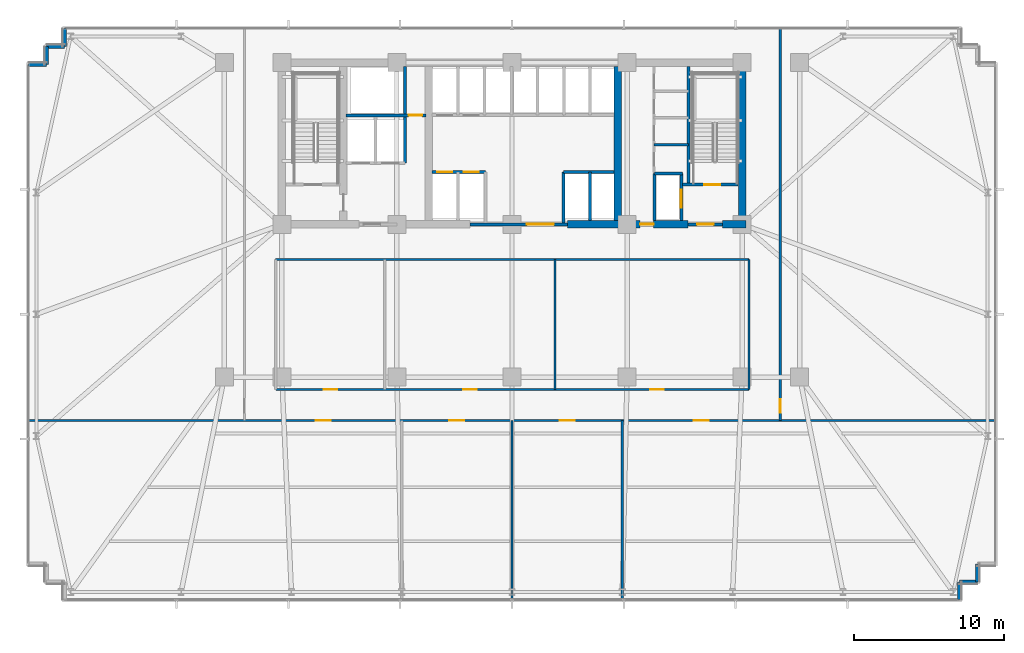
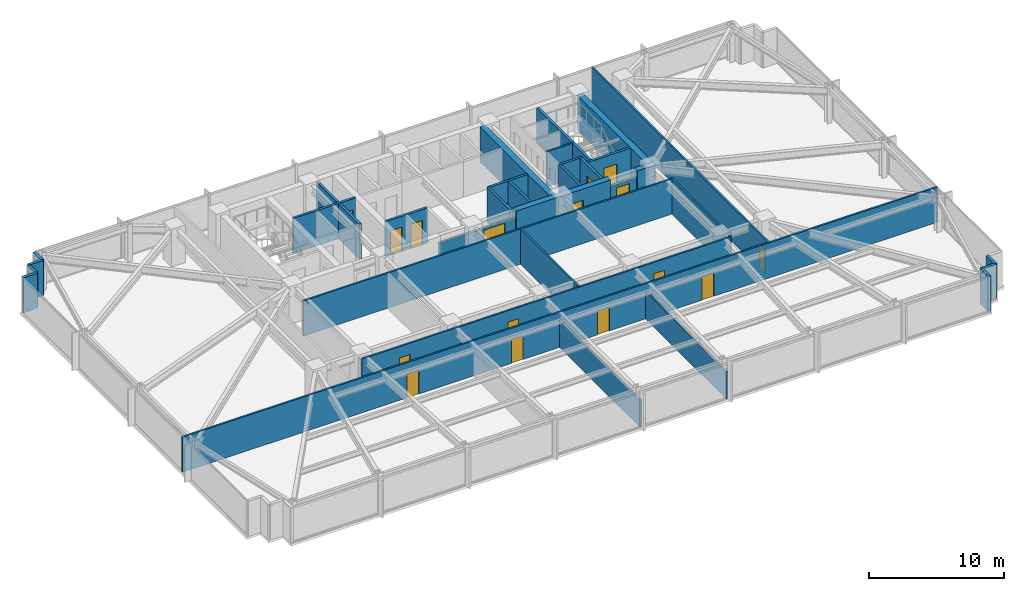
# One storey, part 25 of 32: 33 walls, 16 doors, 16 openings.
"""IFC4 building model written with IfcOpenShell, lengths in metres."""

from ifc_helpers import new_model, si_unit, direction, frame, frame_2d, origin, place, context, subcontext, project, spatial, rectangle, extrude, material, layer, layer_set, type_object, element, fill, save


model = new_model("IFC4")

# Units and contexts
model_context = context("Model", 3, precision=1e-05, world=origin(), true_north=direction((0.0, 1.0)))
body_context = subcontext(model_context, "Body", "Model", "MODEL_VIEW")
ifc_project = project(units=[si_unit("LENGTHUNIT", "METRE"), si_unit("AREAUNIT", "SQUARE_METRE"), si_unit("VOLUMEUNIT", "CUBIC_METRE"), si_unit("PLANEANGLEUNIT", "RADIAN"), si_unit("MASSUNIT", "GRAM", prefix="KILO")], contexts=[model_context])

# Site, building, storey
site_placement = place(None, origin())
site = spatial("IfcSite", under=ifc_project, at=site_placement, CompositionType="ELEMENT")
building_placement = place(site_placement, origin())
building = spatial("IfcBuilding", under=site, at=building_placement, Name="Yelkora Congress Tower", CompositionType="ELEMENT")
storey_placement = place(building_placement, frame((0.0, 0.0, 50.800048828125)))
storey = spatial("IfcBuildingStorey", under=building, at=storey_placement, Name="L12", CompositionType="ELEMENT", Elevation=50.800048828125)

# Wall
ifc_material_1 = material(Name="Concrete C50/60", Category="concrete")
ifc_layer_1 = layer(ifc_material_1, 0.219970703125)
ifc_layer_set_1 = layer_set([ifc_layer_1], Name="Concrete C50/60")
wall_type_1 = type_object("IfcWallType", Name="WALL-CORE-INT-220", PredefinedType="SHEAR", material=ifc_layer_set_1)
wall_1_placement = place(storey_placement, frame((50.179931640625, 38.050048828125, 0.0), z_axis=(0.0, 0.0, 1.0), x_axis=(0.0, 1.0, 0.0)))
element("IfcWall", 1, at=wall_1_placement, inside=storey, type_object=wall_type_1, Name="L12 ST02 West Stair Shear Wall", PredefinedType="SHEAR", context=body_context, shape_type="SweptSolid", body=[
    extrude(rectangle(XDim=7.89990234375, YDim=0.219970703125, at=frame_2d((3.949951171875, 0.0))), origin(), (0.0, 0.0, 1.0), 3.179931640625),
])

# Wall, opening, door
ifc_material_2 = material(Name="Concrete C60/75", Category="concrete")
ifc_layer_2 = layer(ifc_material_2, 0.5)
ifc_layer_set_2 = layer_set([ifc_layer_2], Name="Concrete C60/75")
wall_type_2 = type_object("IfcWallType", Name="WALL-CORE-INT-500", PredefinedType="SHEAR", material=ifc_layer_set_2)
wall_2_placement = place(storey_placement, frame((42.10009765625, 35.39990234375, 0.0), z_axis=(0.0, 0.0, 1.0), x_axis=(1.0, 0.0, 0.0)))
wall_2 = element("IfcWall", 2, at=wall_2_placement, inside=storey, type_object=wall_type_2, Name="L12 Rear Core South-East Shear Wall A", PredefinedType="SHEAR", context=body_context, shape_type="SweptSolid", body=[
    extrude(rectangle(XDim=8.0498046875, YDim=0.5, at=frame_2d((4.02490234375, 0.0))), origin(), (0.0, 0.0, 1.0), 3.179931640625),
])
opening_1_placement = place(wall_2_placement, frame((4.85009765625, 0.0, 0.0)))
opening_1 = element("IfcOpeningElement", 3, at=opening_1_placement, cuts=wall_2, Name="Opening DR-090F6", PredefinedType="OPENING", context=body_context, shape_type="SweptSolid", body=[
    extrude(rectangle(XDim=0.89990234375, YDim=2.14990234375, at=frame_2d((0.449951171875, 1.074951171875))), frame((0.0, 0.260009765625, 0.0), z_axis=(0.0, -1.0, 0.0), x_axis=(1.0, 0.0, 0.0)), (0.0, 0.0, 1.0), 0.52001953125),
])
ifc_material_3 = material(Name="Painted steel riser fire door leaf", Category="steel")
door_type_1 = type_object("IfcDoorType", Name="DOOR-FD60-900", OperationType="NOTDEFINED", PredefinedType="DOOR", material=ifc_material_3)
door_1_placement = place(opening_1_placement, origin())
door_1 = element("IfcDoor", 4, at=door_1_placement, inside=storey, type_object=door_type_1, Name="L12 Core Washroom Lobby Door", OperationType="SINGLE_SWING_RIGHT", OverallHeight=2.14990234375, OverallWidth=0.89990234375, PredefinedType="DOOR", context=body_context, shape_type="SweptSolid", body=[
    extrude(rectangle(XDim=0.89990234375, YDim=2.14990234375, at=frame_2d((0.449951171875, 1.074951171875))), frame((0.0, 0.02490234375, 0.0), z_axis=(0.0, -1.0, 0.0), x_axis=(1.0, 0.0, 0.0)), (0.0, 0.0, 1.0), 0.050048828125),
])
fill(opening_1, door_1)

# Walls
wall_3_placement = place(storey_placement, frame((52.449951171875, 35.39990234375, 0.0), z_axis=(0.0, 0.0, 1.0), x_axis=(1.0, 0.0, 0.0)))
element("IfcWall", 5, at=wall_3_placement, inside=storey, type_object=wall_type_2, Name="L12 Rear Core South-East Shear Wall B", PredefinedType="SHEAR", context=body_context, shape_type="SweptSolid", body=[
    extrude(rectangle(XDim=1.56005859375, YDim=0.5, at=frame_2d((0.780029296875, 0.0))), origin(), (0.0, 0.0, 1.0), 3.179931640625),
])
for number, where, z_axis, x_axis, name in (
    (6, (45.449951171875, 35.64990234375, 0.0), (0.0, 0.0, 1.0), (0.0, 1.0, 0.0), "L12 Rear Core Cross Shear Wall C3"),
    (7, (53.760009765625, 35.64990234375, 0.0), (0.0, 0.0, 1.0), (0.0, 1.0, 0.0), "L12 Rear Core Cross Shear Wall E"),
):
    element("IfcWall", number, at=place(storey_placement, frame(where, z_axis=z_axis, x_axis=x_axis)), inside=storey, type_object=wall_type_2, Name=name, PredefinedType="SHEAR", context=body_context, shape_type="SweptSolid", body=[
        extrude(rectangle(XDim=10.300048828125, YDim=0.5, at=frame_2d((5.14990234375, 0.0))), origin(), (0.0, 0.0, 1.0), 3.179931640625),
    ])
ifc_material_4 = material(Name="Concrete C40/50", Category="concrete")
ifc_layer_3 = layer(ifc_material_4, 0.239990234375)
ifc_layer_set_3 = layer_set([ifc_layer_3], Name="Concrete C40/50")
wall_type_3 = type_object("IfcWallType", Name="WALL-EXT-LIMESTONE-240", PredefinedType="SOLIDWALL", material=ifc_layer_set_3)
wall_4_placement = place(storey_placement, frame((6.139892578125, 46.06005859375, 0.0), z_axis=(0.0, 0.0, 1.0), x_axis=(1.0, 0.0, 0.0)))
element("IfcWall", 8, at=wall_4_placement, inside=storey, type_object=wall_type_3, Name="L12 Serrated Corner Limestone Pier 6", PredefinedType="SOLIDWALL", context=body_context, shape_type="SweptSolid", body=[
    extrude(rectangle(XDim=1.2001953125, YDim=0.239990234375, at=frame_2d((0.60009765625, 0.0))), origin(), (0.0, 0.0, 1.0), 3.179931640625),
])
for number, where, z_axis, x_axis, name in (
    (9, (7.340087890625, 46.06005859375, 0.0), (0.0, 0.0, 1.0), (0.0, 1.0, 0.0), "L12 Serrated Corner Limestone Pier 7"),
    (10, (7.340087890625, 47.260009765625, 0.0), (0.0, 0.0, 1.0), (1.0, 0.0, 0.0), "L12 Serrated Corner Limestone Pier 8"),
    (11, (8.5400390625, 47.260009765625, 0.0), (0.0, 0.0, 1.0), (0.0, 1.0, 0.0), "L12 Serrated Corner Limestone Pier 9"),
    (12, (69.4599609375, 12.739990234375, 0.0), (0.0, 0.0, 1.0), (0.0, -1.0, 0.0), "L12 Serrated Corner Limestone Pier 17"),
    (13, (69.4599609375, 11.5400390625, 0.0), (0.0, 0.0, 1.0), (-1.0, 0.0, 0.0), "L12 Serrated Corner Limestone Pier 18"),
    (14, (68.260009765625, 11.5400390625, 0.0), (0.0, 0.0, 1.0), (0.0, -1.0, 0.0), "L12 Serrated Corner Limestone Pier 19"),
):
    element("IfcWall", number, at=place(storey_placement, frame(where, z_axis=z_axis, x_axis=x_axis)), inside=storey, type_object=wall_type_3, Name=name, PredefinedType="SOLIDWALL", context=body_context, shape_type="SweptSolid", body=[
        extrude(rectangle(XDim=1.199951171875, YDim=0.239990234375, at=frame_2d((0.60009765625, 0.0))), origin(), (0.0, 0.0, 1.0), 3.179931640625),
    ])
ifc_material_5 = material(Name="Acoustic metal-stud gypsum partition", Category="gypsum")
ifc_layer_4 = layer(ifc_material_5, 0.14990234375)
ifc_layer_set_4 = layer_set([ifc_layer_4], Name="Acoustic metal-stud gypsum partition")
wall_type_4 = type_object("IfcWallType", Name="WALL-INT-150-NR", PredefinedType="PARTITIONING", material=ifc_layer_set_4)
wall_5_placement = place(storey_placement, frame((47.8798828125, 40.719970703125, 0.0), z_axis=(0.0, 0.0, 1.0), x_axis=(1.0, 0.0, 0.0)))
element("IfcWall", 15, at=wall_5_placement, inside=storey, type_object=wall_type_4, Name="L12 Partition Wall 28", PredefinedType="PARTITIONING", context=body_context, shape_type="SweptSolid", body=[
    extrude(rectangle(XDim=2.300048828125, YDim=0.14990234375, at=frame_2d((1.14990234375, 0.0))), origin(), (0.0, 0.0, 1.0), 3.179931640625),
])
for number, where, z_axis, x_axis, name in (
    (16, (38.39990234375, 10.280029296875, 0.0), (0.0, 0.0, 1.0), (0.0, 1.0, 0.0), "L12 Partition Wall 33"),
    (17, (45.762939453125, 10.280029296875, 0.0), (0.0, 0.0, 1.0), (0.0, 1.0, 0.0), "L12 Partition Wall 34"),
):
    element("IfcWall", number, at=place(storey_placement, frame(where, z_axis=z_axis, x_axis=x_axis)), inside=storey, type_object=wall_type_4, Name=name, PredefinedType="PARTITIONING", context=body_context, shape_type="SweptSolid", body=[
        extrude(rectangle(XDim=12.0400390625, YDim=0.14990234375, at=frame_2d((6.02001953125, 0.0))), origin(), (0.0, 0.0, 1.0), 2.474853515625),
    ])

# Wall, openings, doors
wall_6_placement = place(storey_placement, frame((6.080078125, 22.300048828125, 0.0), z_axis=(0.0, 0.0, 1.0), x_axis=(1.0, 0.0, 0.0)))
wall_6 = element("IfcWall", 18, at=wall_6_placement, inside=storey, type_object=wall_type_4, Name="L12 South Spine Wall", PredefinedType="PARTITIONING", context=body_context, shape_type="SweptSolid", body=[
    extrude(rectangle(XDim=64.639892578125, YDim=0.14990234375, at=frame_2d((32.31982421875, 0.0))), origin(), (0.0, 0.0, 1.0), 3.179931640625),
])
opening_2_placement = place(wall_6_placement, frame((19.214111328125, 0.0, 0.0)))
opening_2 = element("IfcOpeningElement", 19, at=opening_2_placement, cuts=wall_6, Name="Opening DR-100N", PredefinedType="OPENING", context=body_context, shape_type="SweptSolid", body=[
    extrude(rectangle(XDim=1.0, YDim=2.14990234375, at=frame_2d((0.5, 1.074951171875))), frame((0.0, 0.0849609375, 0.0), z_axis=(0.0, -1.0, 0.0), x_axis=(1.0, 0.0, 0.0)), (0.0, 0.0, 1.0), 0.169921875),
])
opening_3_placement = place(wall_6_placement, frame((28.138916015625, 0.0, 0.0)))
opening_3 = element("IfcOpeningElement", 20, at=opening_3_placement, cuts=wall_6, Name="Opening DR-100N", PredefinedType="OPENING", context=body_context, shape_type="SweptSolid", body=[
    extrude(rectangle(XDim=1.0, YDim=2.14990234375, at=frame_2d((0.5, 1.074951171875))), frame((0.0, 0.0849609375, 0.0), z_axis=(0.0, -1.0, 0.0), x_axis=(1.0, 0.0, 0.0)), (0.0, 0.0, 1.0), 0.169921875),
])
opening_4_placement = place(wall_6_placement, frame((35.50146484375, 0.0, 0.0)))
opening_4 = element("IfcOpeningElement", 21, at=opening_4_placement, cuts=wall_6, Name="Opening DR-100N", PredefinedType="OPENING", context=body_context, shape_type="SweptSolid", body=[
    extrude(rectangle(XDim=1.0, YDim=2.14990234375, at=frame_2d((0.5, 1.074951171875))), frame((0.0, 0.0849609375, 0.0), z_axis=(0.0, -1.0, 0.0), x_axis=(1.0, 0.0, 0.0)), (0.0, 0.0, 1.0), 0.169921875),
])
opening_5_placement = place(wall_6_placement, frame((44.451416015625, 0.0, 0.0)))
opening_5 = element("IfcOpeningElement", 22, at=opening_5_placement, cuts=wall_6, Name="Opening DR-100N", PredefinedType="OPENING", context=body_context, shape_type="SweptSolid", body=[
    extrude(rectangle(XDim=1.0, YDim=2.14990234375, at=frame_2d((0.5, 1.074951171875))), frame((0.0, 0.0849609375, 0.0), z_axis=(0.0, -1.0, 0.0), x_axis=(1.0, 0.0, 0.0)), (0.0, 0.0, 1.0), 0.169921875),
])
ifc_material_6 = material(Name="Solid-core Anatolian oak veneer door", Category="wood")
door_type_2 = type_object("IfcDoorType", Name="DOOR-INT-1000", OperationType="NOTDEFINED", PredefinedType="DOOR", material=ifc_material_6)
door_2_placement = place(opening_2_placement, origin())
door_2 = element("IfcDoor", 23, at=door_2_placement, inside=storey, type_object=door_type_2, Name="L12 Executive Office Door", OperationType="SINGLE_SWING_RIGHT", OverallHeight=2.14990234375, OverallWidth=1.0, PredefinedType="DOOR", context=body_context, shape_type="SweptSolid", body=[
    extrude(rectangle(XDim=1.0, YDim=2.14990234375, at=frame_2d((0.5, 1.074951171875))), frame((0.0, 0.02490234375, 0.0), z_axis=(0.0, -1.0, 0.0), x_axis=(1.0, 0.0, 0.0)), (0.0, 0.0, 1.0), 0.050048828125),
])
fill(opening_2, door_2)
door_3_placement = place(opening_3_placement, origin())
door_3 = element("IfcDoor", 24, at=door_3_placement, inside=storey, type_object=door_type_2, Name="L12 Executive Office Door", OperationType="SINGLE_SWING_LEFT", OverallHeight=2.14990234375, OverallWidth=1.0, PredefinedType="DOOR", context=body_context, shape_type="SweptSolid", body=[
    extrude(rectangle(XDim=1.0, YDim=2.14990234375, at=frame_2d((0.5, 1.074951171875))), frame((0.0, 0.02490234375, 0.0), z_axis=(0.0, -1.0, 0.0), x_axis=(1.0, 0.0, 0.0)), (0.0, 0.0, 1.0), 0.050048828125),
])
fill(opening_3, door_3)
door_4_placement = place(opening_4_placement, origin())
door_4 = element("IfcDoor", 25, at=door_4_placement, inside=storey, type_object=door_type_2, Name="L12 Executive Office Door", OperationType="SINGLE_SWING_RIGHT", OverallHeight=2.14990234375, OverallWidth=1.0, PredefinedType="DOOR", context=body_context, shape_type="SweptSolid", body=[
    extrude(rectangle(XDim=1.0, YDim=2.14990234375, at=frame_2d((0.5, 1.074951171875))), frame((0.0, 0.02490234375, 0.0), z_axis=(0.0, -1.0, 0.0), x_axis=(1.0, 0.0, 0.0)), (0.0, 0.0, 1.0), 0.050048828125),
])
fill(opening_4, door_4)
door_5_placement = place(opening_5_placement, origin())
door_5 = element("IfcDoor", 26, at=door_5_placement, inside=storey, type_object=door_type_2, Name="L12 Executive Office Door", OperationType="SINGLE_SWING_LEFT", OverallHeight=2.14990234375, OverallWidth=1.0, PredefinedType="DOOR", context=body_context, shape_type="SweptSolid", body=[
    extrude(rectangle(XDim=1.0, YDim=2.14990234375, at=frame_2d((0.5, 1.074951171875))), frame((0.0, 0.02490234375, 0.0), z_axis=(0.0, -1.0, 0.0), x_axis=(1.0, 0.0, 0.0)), (0.0, 0.0, 1.0), 0.050048828125),
])
fill(opening_5, door_5)

# Wall, opening, door
wall_7_placement = place(storey_placement, frame((56.300048828125, 22.300048828125, 0.0), z_axis=(0.0, 0.0, 1.0), x_axis=(0.0, 1.0, 0.0)))
wall_7 = element("IfcWall", 27, at=wall_7_placement, inside=storey, type_object=wall_type_4, Name="L12 Partition Wall 37", PredefinedType="PARTITIONING", context=body_context, shape_type="SweptSolid", body=[
    extrude(rectangle(XDim=26.219970703125, YDim=0.14990234375, at=frame_2d((13.10986328125, 0.0))), origin(), (0.0, 0.0, 1.0), 3.179931640625),
])
opening_6_placement = place(wall_7_placement, frame((0.528076171875, 0.0, 0.0)))
opening_6 = element("IfcOpeningElement", 28, at=opening_6_placement, cuts=wall_7, Name="Opening DR-090N", PredefinedType="OPENING", context=body_context, shape_type="SweptSolid", body=[
    extrude(rectangle(XDim=0.89990234375, YDim=2.14990234375, at=frame_2d((0.449951171875, 1.074951171875))), frame((0.0, 0.0849609375, 0.0), z_axis=(0.0, -1.0, 0.0), x_axis=(1.0, 0.0, 0.0)), (0.0, 0.0, 1.0), 0.169921875),
])
ifc_material_7 = material(Name="Moisture-resistant laminate door leaf", Category="wood")
door_type_3 = type_object("IfcDoorType", Name="DOOR-INT-900", OperationType="NOTDEFINED", PredefinedType="DOOR", material=ifc_material_7)
door_6_placement = place(opening_6_placement, origin())
door_6 = element("IfcDoor", 29, at=door_6_placement, inside=storey, type_object=door_type_3, Name="L12 E Wing Door", OperationType="SINGLE_SWING_LEFT", OverallHeight=2.14990234375, OverallWidth=0.89990234375, PredefinedType="DOOR", context=body_context, shape_type="SweptSolid", body=[
    extrude(rectangle(XDim=0.89990234375, YDim=2.14990234375, at=frame_2d((0.449951171875, 1.074951171875))), frame((0.0, 0.02490234375, 0.0), z_axis=(0.0, -1.0, 0.0), x_axis=(1.0, 0.0, 0.0)), (0.0, 0.0, 1.0), 0.050048828125),
])
fill(opening_6, door_6)

# Walls
wall_8_placement = place(storey_placement, frame((54.219970703125, 24.3798828125, 0.0), z_axis=(0.0, 0.0, 1.0), x_axis=(0.0, 1.0, 0.0)))
element("IfcWall", 30, at=wall_8_placement, inside=storey, type_object=wall_type_4, Name="L12 Partition Wall 39", PredefinedType="PARTITIONING", context=body_context, shape_type="SweptSolid", body=[
    extrude(rectangle(XDim=8.670166015625, YDim=0.14990234375, at=frame_2d((4.3349609375, 0.0))), origin(), (0.0, 0.0, 1.0), 3.179931640625),
])
wall_9_placement = place(storey_placement, frame((22.6298828125, 33.050048828125, 0.0), z_axis=(0.0, 0.0, 1.0), x_axis=(1.0, 0.0, 0.0)))
element("IfcWall", 31, at=wall_9_placement, inside=storey, type_object=wall_type_4, Name="L12 Partition Wall 40", PredefinedType="PARTITIONING", context=body_context, shape_type="SweptSolid", body=[
    extrude(rectangle(XDim=31.590087890625, YDim=0.14990234375, at=frame_2d((15.794921875, 0.0))), origin(), (0.0, 0.0, 1.0), 3.179931640625),
])
wall_10_placement = place(storey_placement, frame((41.26611328125, 24.3798828125, 0.0), z_axis=(0.0, 0.0, 1.0), x_axis=(0.0, 1.0, 0.0)))
element("IfcWall", 32, at=wall_10_placement, inside=storey, type_object=wall_type_4, Name="L12 Partition Wall 42", PredefinedType="PARTITIONING", context=body_context, shape_type="SweptSolid", body=[
    extrude(rectangle(XDim=8.670166015625, YDim=0.14990234375, at=frame_2d((4.3349609375, 0.0))), origin(), (0.0, 0.0, 1.0), 3.179931640625),
])

# Wall, openings, doors
wall_11_placement = place(storey_placement, frame((22.639892578125, 24.3798828125, 0.0), z_axis=(0.0, 0.0, 1.0), x_axis=(1.0, 0.0, 0.0)))
wall_11 = element("IfcWall", 33, at=wall_11_placement, inside=storey, type_object=wall_type_4, Name="L12 Partition Wall 43", PredefinedType="PARTITIONING", context=body_context, shape_type="SweptSolid", body=[
    extrude(rectangle(XDim=31.570068359375, YDim=0.14990234375, at=frame_2d((15.78515625, 0.0))), origin(), (0.0, 0.0, 1.0), 3.179931640625),
])
opening_7_placement = place(wall_11_placement, frame((3.180419921875, 0.0, 0.0)))
opening_7 = element("IfcOpeningElement", 34, at=opening_7_placement, cuts=wall_11, Name="Opening DR-090N", PredefinedType="OPENING", context=body_context, shape_type="SweptSolid", body=[
    extrude(rectangle(XDim=0.89990234375, YDim=2.14990234375, at=frame_2d((0.449951171875, 1.074951171875))), frame((0.0, 0.0849609375, 0.0), z_axis=(0.0, -1.0, 0.0), x_axis=(1.0, 0.0, 0.0)), (0.0, 0.0, 1.0), 0.169921875),
])
opening_8_placement = place(wall_11_placement, frame((12.493408203125, 0.0, 0.0)))
opening_8 = element("IfcOpeningElement", 35, at=opening_8_placement, cuts=wall_11, Name="Opening DR-090N", PredefinedType="OPENING", context=body_context, shape_type="SweptSolid", body=[
    extrude(rectangle(XDim=0.89990234375, YDim=2.14990234375, at=frame_2d((0.449951171875, 1.074951171875))), frame((0.0, 0.0849609375, 0.0), z_axis=(0.0, -1.0, 0.0), x_axis=(1.0, 0.0, 0.0)), (0.0, 0.0, 1.0), 0.169921875),
])
opening_9_placement = place(wall_11_placement, frame((24.983642578125, 0.0, 0.0)))
opening_9 = element("IfcOpeningElement", 36, at=opening_9_placement, cuts=wall_11, Name="Opening DR-090N", PredefinedType="OPENING", context=body_context, shape_type="SweptSolid", body=[
    extrude(rectangle(XDim=0.89990234375, YDim=2.14990234375, at=frame_2d((0.449951171875, 1.074951171875))), frame((0.0, 0.0849609375, 0.0), z_axis=(0.0, -1.0, 0.0), x_axis=(1.0, 0.0, 0.0)), (0.0, 0.0, 1.0), 0.169921875),
])
door_7_placement = place(opening_7_placement, origin())
door_7 = element("IfcDoor", 37, at=door_7_placement, inside=storey, type_object=door_type_3, Name="L12 Wellness Consult Room Door", OperationType="SINGLE_SWING_RIGHT", OverallHeight=2.14990234375, OverallWidth=0.89990234375, PredefinedType="DOOR", context=body_context, shape_type="SweptSolid", body=[
    extrude(rectangle(XDim=0.89990234375, YDim=2.14990234375, at=frame_2d((0.449951171875, 1.074951171875))), frame((0.0, 0.02490234375, 0.0), z_axis=(0.0, -1.0, 0.0), x_axis=(1.0, 0.0, 0.0)), (0.0, 0.0, 1.0), 0.050048828125),
])
fill(opening_7, door_7)
door_8_placement = place(opening_8_placement, origin())
door_8 = element("IfcDoor", 38, at=door_8_placement, inside=storey, type_object=door_type_3, Name="L12 Diplomatic Day Lounge Door", OperationType="SINGLE_SWING_LEFT", OverallHeight=2.14990234375, OverallWidth=0.89990234375, PredefinedType="DOOR", context=body_context, shape_type="SweptSolid", body=[
    extrude(rectangle(XDim=0.89990234375, YDim=2.14990234375, at=frame_2d((0.449951171875, 1.074951171875))), frame((0.0, 0.02490234375, 0.0), z_axis=(0.0, -1.0, 0.0), x_axis=(1.0, 0.0, 0.0)), (0.0, 0.0, 1.0), 0.050048828125),
])
fill(opening_8, door_8)
door_9_placement = place(opening_9_placement, origin())
door_9 = element("IfcDoor", 39, at=door_9_placement, inside=storey, type_object=door_type_3, Name="L12 First-Aid Treatment Room Door", OperationType="SINGLE_SWING_RIGHT", OverallHeight=2.14990234375, OverallWidth=0.89990234375, PredefinedType="DOOR", context=body_context, shape_type="SweptSolid", body=[
    extrude(rectangle(XDim=0.89990234375, YDim=2.14990234375, at=frame_2d((0.449951171875, 1.074951171875))), frame((0.0, 0.02490234375, 0.0), z_axis=(0.0, -1.0, 0.0), x_axis=(1.0, 0.0, 0.0)), (0.0, 0.0, 1.0), 0.050048828125),
])
fill(opening_9, door_9)

# Wall
ifc_material_8 = material(Name="Autoclaved aerated concrete blockwork", Category="masonry")
ifc_layer_5 = layer(ifc_material_8, 0.199951171875)
ifc_layer_set_5 = layer_set([ifc_layer_5], Name="Autoclaved aerated concrete blockwork")
wall_type_5 = type_object("IfcWallType", Name="WALL-INT-200-R120", PredefinedType="PARTITIONING", material=ifc_layer_set_5)
wall_12_placement = place(storey_placement, frame((31.260009765625, 39.47998046875, 0.0), z_axis=(0.0, 0.0, 1.0), x_axis=(0.0, 1.0, 0.0)))
element("IfcWall", 40, at=wall_12_placement, inside=storey, type_object=wall_type_5, Name="L12 Partition Wall 5", PredefinedType="PARTITIONING", context=body_context, shape_type="SweptSolid", body=[
    extrude(rectangle(XDim=6.43994140625, YDim=0.199951171875, at=frame_2d((3.219970703125, 0.0))), origin(), (0.0, 0.0, 1.0), 3.179931640625),
])

# Wall, opening, door
wall_13_placement = place(storey_placement, frame((27.320068359375, 42.679931640625, 0.0), z_axis=(0.0, 0.0, 1.0), x_axis=(1.0, 0.0, 0.0)))
wall_13 = element("IfcWall", 41, at=wall_13_placement, inside=storey, type_object=wall_type_5, Name="L12 Smoke Riser South Wall", PredefinedType="PARTITIONING", context=body_context, shape_type="SweptSolid", body=[
    extrude(rectangle(XDim=5.329833984375, YDim=0.199951171875, at=frame_2d((2.6650390625, 0.0))), origin(), (0.0, 0.0, 1.0), 3.179931640625),
])
opening_10_placement = place(wall_13_placement, frame((4.179931640625, 0.0, 0.0)))
opening_10 = element("IfcOpeningElement", 42, at=opening_10_placement, cuts=wall_13, Name="Opening DR-090F6", PredefinedType="OPENING", context=body_context, shape_type="SweptSolid", body=[
    extrude(rectangle(XDim=0.89990234375, YDim=2.14990234375, at=frame_2d((0.449951171875, 1.074951171875))), frame((0.0, 0.10986328125, 0.0), z_axis=(0.0, -1.0, 0.0), x_axis=(1.0, 0.0, 0.0)), (0.0, 0.0, 1.0), 0.219970703125),
])
door_10_placement = place(opening_10_placement, origin())
door_10 = element("IfcDoor", 43, at=door_10_placement, inside=storey, type_object=door_type_1, Name="L12 Riser Access Door", OperationType="SINGLE_SWING_LEFT", OverallHeight=2.14990234375, OverallWidth=0.89990234375, PredefinedType="DOOR", context=body_context, shape_type="SweptSolid", body=[
    extrude(rectangle(XDim=0.89990234375, YDim=2.14990234375, at=frame_2d((0.449951171875, 1.074951171875))), frame((0.0, 0.02490234375, 0.0), z_axis=(0.0, -1.0, 0.0), x_axis=(1.0, 0.0, 0.0)), (0.0, 0.0, 1.0), 0.050048828125),
])
fill(opening_10, door_10)

wall_14_placement = place(storey_placement, frame((35.60009765625, 35.39990234375, 0.0), z_axis=(0.0, 0.0, 1.0), x_axis=(1.0, 0.0, 0.0)))
wall_14 = element("IfcWall", 44, at=wall_14_placement, inside=storey, type_object=wall_type_5, Name="L12 Main Lift Lobby South Portal Wall", PredefinedType="PARTITIONING", context=body_context, shape_type="SweptSolid", body=[
    extrude(rectangle(XDim=6.5, YDim=0.199951171875, at=frame_2d((3.25, 0.0))), origin(), (0.0, 0.0, 1.0), 2.474853515625),
])
opening_11_placement = place(wall_14_placement, frame((3.800048828125, 0.0, 0.0)))
opening_11 = element("IfcOpeningElement", 45, at=opening_11_placement, cuts=wall_14, Name="Opening DR-180D", PredefinedType="OPENING", context=body_context, shape_type="SweptSolid", body=[
    extrude(rectangle(XDim=1.800048828125, YDim=2.300048828125, at=frame_2d((0.89990234375, 1.14990234375))), frame((0.0, 0.10986328125, 0.0), z_axis=(0.0, -1.0, 0.0), x_axis=(1.0, 0.0, 0.0)), (0.0, 0.0, 1.0), 0.219970703125),
])
ifc_material_9 = material(Name="Acoustic double congress hall doors", Category="wood")
door_type_4 = type_object("IfcDoorType", Name="DOOR-DBL-1800", OperationType="DOUBLE_DOOR_SINGLE_SWING", PredefinedType="DOOR", material=ifc_material_9)
door_11_placement = place(opening_11_placement, origin())
door_11 = element("IfcDoor", 46, at=door_11_placement, inside=storey, type_object=door_type_4, Name="L12 Main Lift Lobby Portal Door", OperationType="DOUBLE_DOOR_SINGLE_SWING", OverallHeight=2.300048828125, OverallWidth=1.800048828125, PredefinedType="DOOR", context=body_context, shape_type="SweptSolid", body=[
    extrude(rectangle(XDim=1.800048828125, YDim=2.300048828125, at=frame_2d((0.89990234375, 1.14990234375))), frame((0.0, 0.02490234375, 0.0), z_axis=(0.0, -1.0, 0.0), x_axis=(1.0, 0.0, 0.0)), (0.0, 0.0, 1.0), 0.050048828125),
])
fill(opening_11, door_11)

# Wall, openings, doors
wall_15_placement = place(storey_placement, frame((33.050048828125, 38.89990234375, 0.0), z_axis=(0.0, 0.0, 1.0), x_axis=(1.0, 0.0, 0.0)))
wall_15 = element("IfcWall", 47, at=wall_15_placement, inside=storey, type_object=wall_type_5, Name="L12 Partition Wall 11", PredefinedType="PARTITIONING", context=body_context, shape_type="SweptSolid", body=[
    extrude(rectangle(XDim=3.570068359375, YDim=0.199951171875, at=frame_2d((1.78515625, 0.0))), origin(), (0.0, 0.0, 1.0), 3.179931640625),
])
opening_12_placement = place(wall_15_placement, frame((0.375, 0.0, 0.0)))
opening_12 = element("IfcOpeningElement", 48, at=opening_12_placement, cuts=wall_15, Name="Opening LD-PS10", PredefinedType="OPENING", context=body_context, shape_type="SweptSolid", body=[
    extrude(rectangle(XDim=1.0, YDim=2.199951171875, at=frame_2d((0.5, 1.10009765625))), frame((0.0, 0.10986328125, 0.0), z_axis=(0.0, -1.0, 0.0), x_axis=(1.0, 0.0, 0.0)), (0.0, 0.0, 1.0), 0.219970703125),
])
opening_13_placement = place(wall_15_placement, frame((2.125, 0.0, 0.0)))
opening_13 = element("IfcOpeningElement", 49, at=opening_13_placement, cuts=wall_15, Name="Opening LD-PS10", PredefinedType="OPENING", context=body_context, shape_type="SweptSolid", body=[
    extrude(rectangle(XDim=1.0, YDim=2.199951171875, at=frame_2d((0.5, 1.10009765625))), frame((0.0, 0.10986328125, 0.0), z_axis=(0.0, -1.0, 0.0), x_axis=(1.0, 0.0, 0.0)), (0.0, 0.0, 1.0), 0.219970703125),
])
ifc_material_10 = material(Name="Champagne stainless steel landing door", Category="steel")
door_type_5 = type_object("IfcDoorType", Name="DOOR-LIFT-PAS-1000", OperationType="DOUBLE_DOOR_SLIDING", PredefinedType="DOOR", material=ifc_material_10)
door_12_placement = place(opening_12_placement, origin())
door_12 = element("IfcDoor", 50, at=door_12_placement, inside=storey, type_object=door_type_5, Name="Lift Landing Door LF-P1 L12", OperationType="DOUBLE_DOOR_SLIDING", OverallHeight=2.199951171875, OverallWidth=1.0, PredefinedType="DOOR", context=body_context, shape_type="SweptSolid", body=[
    extrude(rectangle(XDim=1.0, YDim=2.199951171875, at=frame_2d((0.5, 1.10009765625))), frame((0.0, 0.02490234375, 0.0), z_axis=(0.0, -1.0, 0.0), x_axis=(1.0, 0.0, 0.0)), (0.0, 0.0, 1.0), 0.050048828125),
])
fill(opening_12, door_12)
door_13_placement = place(opening_13_placement, origin())
door_13 = element("IfcDoor", 51, at=door_13_placement, inside=storey, type_object=door_type_5, Name="Lift Landing Door LF-P2 L12", OperationType="DOUBLE_DOOR_SLIDING", OverallHeight=2.199951171875, OverallWidth=1.0, PredefinedType="DOOR", context=body_context, shape_type="SweptSolid", body=[
    extrude(rectangle(XDim=1.0, YDim=2.199951171875, at=frame_2d((0.5, 1.10009765625))), frame((0.0, 0.02490234375, 0.0), z_axis=(0.0, -1.0, 0.0), x_axis=(1.0, 0.0, 0.0)), (0.0, 0.0, 1.0), 0.050048828125),
])
fill(opening_13, door_13)

# Walls
wall_16_placement = place(storey_placement, frame((41.85009765625, 38.89990234375, 0.0), z_axis=(0.0, 0.0, 1.0), x_axis=(1.0, 0.0, 0.0)))
element("IfcWall", 52, at=wall_16_placement, inside=storey, type_object=wall_type_5, Name="L12 Partition Wall 17", PredefinedType="PARTITIONING", context=body_context, shape_type="SweptSolid", body=[
    extrude(rectangle(XDim=3.369873046875, YDim=0.199951171875, at=frame_2d((1.68505859375, 0.0))), origin(), (0.0, 0.0, 1.0), 3.179931640625),
])
wall_17_placement = place(storey_placement, frame((43.60009765625, 35.64990234375, 0.0), z_axis=(0.0, 0.0, 1.0), x_axis=(0.0, 1.0, 0.0)))
element("IfcWall", 53, at=wall_17_placement, inside=storey, type_object=wall_type_5, Name="L12 Partition Wall 19", PredefinedType="PARTITIONING", context=body_context, shape_type="SweptSolid", body=[
    extrude(rectangle(XDim=3.25, YDim=0.199951171875, at=frame_2d((1.625, 0.0))), origin(), (0.0, 0.0, 1.0), 3.179931640625),
])
wall_18_placement = place(storey_placement, frame((41.85009765625, 35.5, 0.0), z_axis=(0.0, 0.0, 1.0), x_axis=(0.0, 1.0, 0.0)))
element("IfcWall", 54, at=wall_18_placement, inside=storey, type_object=wall_type_5, Name="L12 Partition Wall 21", PredefinedType="PARTITIONING", context=body_context, shape_type="SweptSolid", body=[
    extrude(rectangle(XDim=3.39990234375, YDim=0.199951171875, at=frame_2d((1.699951171875, 0.0))), origin(), (0.0, 0.0, 1.0), 3.179931640625),
])

# Wall, opening, door
wall_19_placement = place(storey_placement, frame((49.780029296875, 38.050048828125, 0.0), z_axis=(0.0, 0.0, 1.0), x_axis=(1.0, 0.0, 0.0)))
wall_19 = element("IfcWall", 55, at=wall_19_placement, inside=storey, type_object=wall_type_5, Name="L12 Stair ST-02 Enclosure Wall", PredefinedType="PARTITIONING", context=body_context, shape_type="SweptSolid", body=[
    extrude(rectangle(XDim=3.719970703125, YDim=0.199951171875, at=frame_2d((1.85986328125, 0.0))), origin(), (0.0, 0.0, 1.0), 3.179931640625),
])
opening_14_placement = place(wall_19_placement, frame((1.436279296875, 0.0, 0.0)))
opening_14 = element("IfcOpeningElement", 56, at=opening_14_placement, cuts=wall_19, Name="Opening DR-110F9", PredefinedType="OPENING", context=body_context, shape_type="SweptSolid", body=[
    extrude(rectangle(XDim=1.10009765625, YDim=2.14990234375, at=frame_2d((0.550048828125, 1.074951171875))), frame((0.0, 0.10986328125, 0.0), z_axis=(0.0, -1.0, 0.0), x_axis=(1.0, 0.0, 0.0)), (0.0, 0.0, 1.0), 0.219970703125),
])
ifc_material_11 = material(Name="Galvanised steel fire door leaf", Category="steel")
door_type_6 = type_object("IfcDoorType", Name="DOOR-FD90-1100", OperationType="NOTDEFINED", PredefinedType="DOOR", material=ifc_material_11)
door_14_placement = place(opening_14_placement, origin())
door_14 = element("IfcDoor", 57, at=door_14_placement, inside=storey, type_object=door_type_6, Name="L12 Stair ST-02 Entry Door", OperationType="SINGLE_SWING_LEFT", OverallHeight=2.14990234375, OverallWidth=1.10009765625, PredefinedType="DOOR", context=body_context, shape_type="SweptSolid", body=[
    extrude(rectangle(XDim=1.10009765625, YDim=2.14990234375, at=frame_2d((0.550048828125, 1.074951171875))), frame((0.0, 0.02490234375, 0.0), z_axis=(0.0, -1.0, 0.0), x_axis=(1.0, 0.0, 0.0)), (0.0, 0.0, 1.0), 0.050048828125),
])
fill(opening_14, door_14)

wall_20_placement = place(storey_placement, frame((50.14990234375, 35.39990234375, 0.0), z_axis=(0.0, 0.0, 1.0), x_axis=(1.0, 0.0, 0.0)))
wall_20 = element("IfcWall", 58, at=wall_20_placement, inside=storey, type_object=wall_type_5, Name="L12 Partition Wall 24", PredefinedType="PARTITIONING", context=body_context, shape_type="SweptSolid", body=[
    extrude(rectangle(XDim=2.300048828125, YDim=0.199951171875, at=frame_2d((1.14990234375, 0.0))), origin(), (0.0, 0.0, 1.0), 2.474853515625),
])
opening_15_placement = place(wall_20_placement, frame((0.60009765625, 0.0, 0.0)))
opening_15 = element("IfcOpeningElement", 59, at=opening_15_placement, cuts=wall_20, Name="Opening DR-110F9", PredefinedType="OPENING", context=body_context, shape_type="SweptSolid", body=[
    extrude(rectangle(XDim=1.10009765625, YDim=2.14990234375, at=frame_2d((0.550048828125, 1.074951171875))), frame((0.0, 0.10986328125, 0.0), z_axis=(0.0, -1.0, 0.0), x_axis=(1.0, 0.0, 0.0)), (0.0, 0.0, 1.0), 0.219970703125),
])
door_15_placement = place(opening_15_placement, origin())
door_15 = element("IfcDoor", 60, at=door_15_placement, inside=storey, type_object=door_type_6, Name="L12 East Stair Lobby Door", OperationType="SINGLE_SWING_RIGHT", OverallHeight=2.14990234375, OverallWidth=1.10009765625, PredefinedType="DOOR", context=body_context, shape_type="SweptSolid", body=[
    extrude(rectangle(XDim=1.10009765625, YDim=2.14990234375, at=frame_2d((0.550048828125, 1.074951171875))), frame((0.0, 0.02490234375, 0.0), z_axis=(0.0, -1.0, 0.0), x_axis=(1.0, 0.0, 0.0)), (0.0, 0.0, 1.0), 0.050048828125),
])
fill(opening_15, door_15)

wall_21_placement = place(storey_placement, frame((49.699951171875, 35.64990234375, 0.0), z_axis=(0.0, 0.0, 1.0), x_axis=(0.0, 1.0, 0.0)))
wall_21 = element("IfcWall", 61, at=wall_21_placement, inside=storey, type_object=wall_type_5, Name="L12 Partition Wall 25", PredefinedType="PARTITIONING", context=body_context, shape_type="SweptSolid", body=[
    extrude(rectangle(XDim=3.150146484375, YDim=0.199951171875, at=frame_2d((1.5751953125, 0.0))), origin(), (0.0, 0.0, 1.0), 3.179931640625),
])
opening_16_placement = place(wall_21_placement, frame((0.85009765625, 0.0, 0.0)))
opening_16 = element("IfcOpeningElement", 62, at=opening_16_placement, cuts=wall_21, Name="Opening LD-SV12", PredefinedType="OPENING", context=body_context, shape_type="SweptSolid", body=[
    extrude(rectangle(XDim=1.199951171875, YDim=2.199951171875, at=frame_2d((0.60009765625, 1.10009765625))), frame((0.0, 0.10986328125, 0.0), z_axis=(0.0, -1.0, 0.0), x_axis=(1.0, 0.0, 0.0)), (0.0, 0.0, 1.0), 0.219970703125),
])
ifc_material_12 = material(Name="Heavy-duty stainless steel landing door", Category="steel")
door_type_7 = type_object("IfcDoorType", Name="DOOR-LIFT-SRV-1200", OperationType="DOUBLE_DOOR_SLIDING", PredefinedType="DOOR", material=ifc_material_12)
door_16_placement = place(opening_16_placement, origin())
door_16 = element("IfcDoor", 63, at=door_16_placement, inside=storey, type_object=door_type_7, Name="Service Lift Landing Door LF-SV1 L12", OperationType="DOUBLE_DOOR_SLIDING", OverallHeight=2.199951171875, OverallWidth=1.199951171875, PredefinedType="DOOR", context=body_context, shape_type="SweptSolid", body=[
    extrude(rectangle(XDim=1.199951171875, YDim=2.199951171875, at=frame_2d((0.60009765625, 1.10009765625))), frame((0.0, 0.02490234375, 0.0), z_axis=(0.0, -1.0, 0.0), x_axis=(1.0, 0.0, 0.0)), (0.0, 0.0, 1.0), 0.050048828125),
])
fill(opening_16, door_16)

# Walls
wall_22_placement = place(storey_placement, frame((47.919921875, 35.64990234375, 0.0), z_axis=(0.0, 0.0, 1.0), x_axis=(0.0, 1.0, 0.0)))
element("IfcWall", 64, at=wall_22_placement, inside=storey, type_object=wall_type_5, Name="L12 Partition Wall 26", PredefinedType="PARTITIONING", context=body_context, shape_type="SweptSolid", body=[
    extrude(rectangle(XDim=3.150146484375, YDim=0.199951171875, at=frame_2d((1.5751953125, 0.0))), origin(), (0.0, 0.0, 1.0), 3.179931640625),
])
wall_23_placement = place(storey_placement, frame((47.919921875, 38.800048828125, 0.0), z_axis=(0.0, 0.0, 1.0), x_axis=(1.0, 0.0, 0.0)))
element("IfcWall", 65, at=wall_23_placement, inside=storey, type_object=wall_type_5, Name="L12 Partition Wall 27", PredefinedType="PARTITIONING", context=body_context, shape_type="SweptSolid", body=[
    extrude(rectangle(XDim=1.860107421875, YDim=0.199951171875, at=frame_2d((0.93017578125, 0.0))), origin(), (0.0, 0.0, 1.0), 3.179931640625),
])

save(model, "model.ifc")
